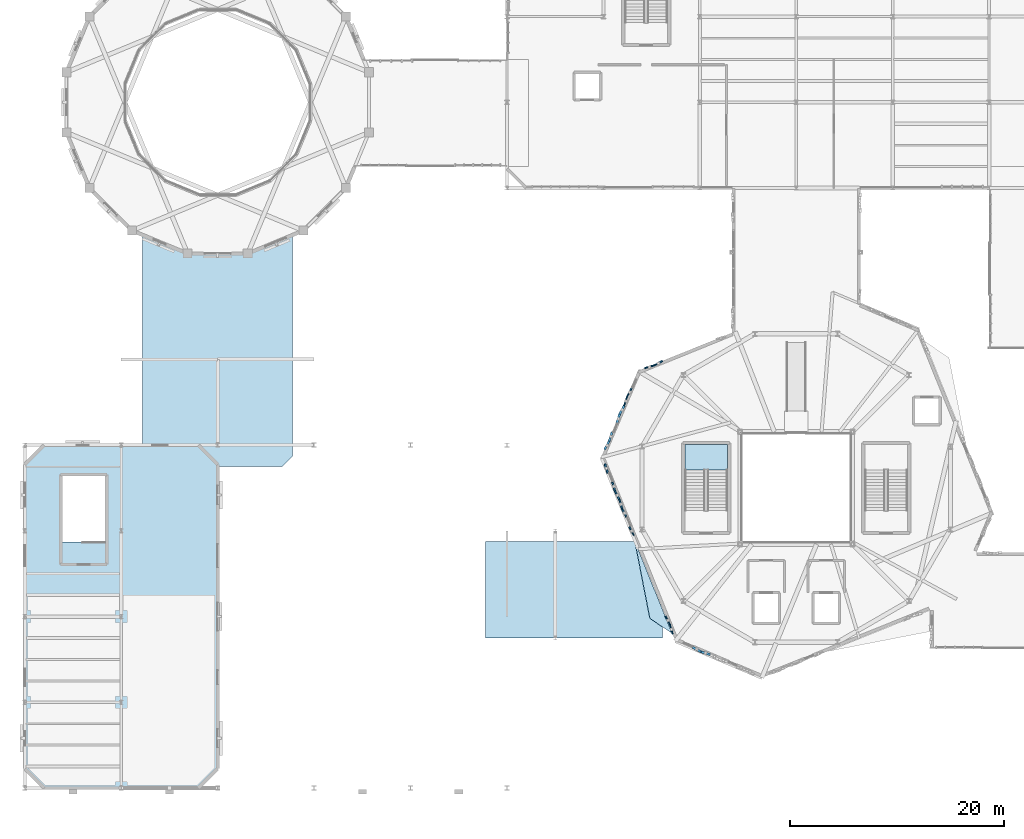
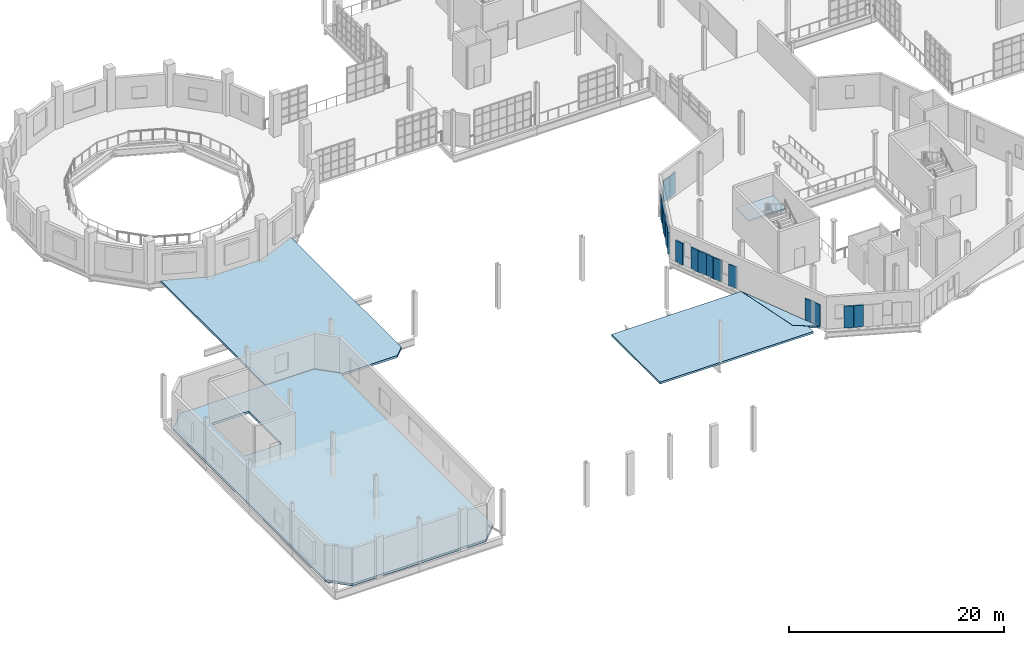
# One storey, part 78 of 122: 18 plates, 5 slabs, 1 element without a shape of its own.
"""IFC4 building model written with IfcOpenShell, lengths in metres."""

from ifc_helpers import new_model, si_unit, direction, frame, frame_2d, origin, place, context, subcontext, project, spatial, polyline, rectangle, outline, extrude, material, layer, layer_set, type_object, element, aggregate, save


model = new_model("IFC4")

# Units and contexts
model_context = context("Model", 3, precision=1e-05, world=origin(), true_north=direction((0.0, 1.0)))
body_context = subcontext(model_context, "Body", "Model", "MODEL_VIEW")
ifc_project = project(units=[si_unit("LENGTHUNIT", "METRE"), si_unit("AREAUNIT", "SQUARE_METRE"), si_unit("VOLUMEUNIT", "CUBIC_METRE"), si_unit("PLANEANGLEUNIT", "RADIAN"), si_unit("MASSUNIT", "GRAM", prefix="KILO"), si_unit("THERMODYNAMICTEMPERATUREUNIT", "KELVIN"), si_unit("POWERUNIT", "WATT")], contexts=[model_context])

# Site, building, storey
site_placement = place(None, origin())
site = spatial("IfcSite", under=ifc_project, at=site_placement, CompositionType="ELEMENT")
building_placement = place(site_placement, origin())
building = spatial("IfcBuilding", under=site, at=building_placement, Name="Zelmaris Science Centre", CompositionType="ELEMENT")
storey_placement = place(building_placement, frame((0.0, 0.0, 10.800048828125)))
storey = spatial("IfcBuildingStorey", under=building, at=storey_placement, Name="L02", CompositionType="ELEMENT", Elevation=10.800048828125)

# Plates
ifc_material_1 = material(Name="Precast concrete C40/50", Category="concrete")
ifc_layer_1 = layer(ifc_material_1, 0.110107421875, Name="Precast concrete C40/50")
ifc_layer_set_1 = layer_set([ifc_layer_1], Name="Precast concrete C40/50")
plate_type_1 = type_object("IfcPlateType", Name="Precast Facet Panel FP-01 110mm", PredefinedType="SHEET", material=ifc_layer_set_1)
plate_1_placement = place(storey_placement, frame((69.468505859375, 22.3671875, 0.02001953125), z_axis=(0.0, 0.0, 1.0), x_axis=(-0.278745970996, 0.960364870064, 0.0)))
element("IfcPlate", 1, at=plate_1_placement, inside=storey, type_object=plate_type_1, Name="L02 Folded precast facet panel 72", PredefinedType="SHEET", context=body_context, shape_type="SweptSolid", body=[
    extrude(rectangle(XDim=0.90478515625, YDim=0.110107421875, at=frame_2d((0.452392578125, 0.0))), origin(), (0.0, 0.0, 1.0), 2.4599609375),
])
plate_2_placement = place(storey_placement, frame((64.949462890625, 43.69287109375, 0.02001953125), z_axis=(0.0, 0.0, 1.0), x_axis=(0.295507811839, 0.955340323205, 0.0)))
element("IfcPlate", 2, at=plate_2_placement, inside=storey, type_object=plate_type_1, Name="L02 Folded precast facet panel 84", PredefinedType="SHEET", context=body_context, shape_type="SweptSolid", body=[
    extrude(rectangle(XDim=0.904541015625, YDim=0.110107421875, at=frame_2d((0.4521484375, 0.0))), origin(), (0.0, 0.0, 1.0), 2.4599609375),
])
ifc_layer_2 = layer(ifc_material_1, 0.1201171875, Name="Precast concrete C40/50")
ifc_layer_set_2 = layer_set([ifc_layer_2], Name="Precast concrete C40/50")
plate_type_2 = type_object("IfcPlateType", Name="Precast Facet Panel FP-02 120mm", PredefinedType="SHEET", material=ifc_layer_set_2)
for number, where, z_axis, x_axis, name in (
    (3, (69.21630859375, 23.236083984375, 0.02001953125), (0.0, 0.0, 1.0), (-0.466647205061, 0.884443545971, 0.0), "L02 Folded precast facet panel 73"),
    (4, (65.216796875, 44.55712890625, 0.02001953125), (0.0, 0.0, 1.0), (0.481742616239, 0.876312759064, 0.0), "L02 Folded precast facet panel 85"),
):
    element("IfcPlate", number, at=place(storey_placement, frame(where, z_axis=z_axis, x_axis=x_axis)), inside=storey, type_object=plate_type_2, Name=name, PredefinedType="SHEET", context=body_context, shape_type="SweptSolid", body=[
        extrude(rectangle(XDim=0.904541015625, YDim=0.1201171875, at=frame_2d((0.4521484375, 0.0))), origin(), (0.0, 0.0, 1.0), 2.4599609375),
    ])
ifc_layer_3 = layer(ifc_material_1, 0.1298828125, Name="Precast concrete C40/50")
ifc_layer_set_3 = layer_set([ifc_layer_3], Name="Precast concrete C40/50")
plate_type_3 = type_object("IfcPlateType", Name="Precast Facet Panel FP-03 130mm", PredefinedType="SHEET", material=ifc_layer_set_3)
for number, where, z_axis, x_axis, name in (
    (5, (65.8447265625, 31.580810546875, 0.02001953125), (0.0, 0.0, 1.0), (-0.466647205061, 0.884443545971, 0.0), "L02 Folded precast facet panel 74"),
    (6, (66.85595703125, 47.188720703125, 0.02001953125), (0.0, 0.0, 1.0), (0.959960696119, 0.280134720993, 0.0), "L02 Folded precast facet panel 86"),
):
    element("IfcPlate", number, at=place(storey_placement, frame(where, z_axis=z_axis, x_axis=x_axis)), inside=storey, type_object=plate_type_3, Name=name, PredefinedType="SHEET", context=body_context, shape_type="SweptSolid", body=[
        extrude(rectangle(XDim=0.904541015625, YDim=0.1298828125, at=frame_2d((0.4521484375, 0.0))), origin(), (0.0, 0.0, 1.0), 2.4599609375),
    ])
ifc_layer_4 = layer(ifc_material_1, 0.139892578125, Name="Precast concrete C40/50")
ifc_layer_set_4 = layer_set([ifc_layer_4], Name="Precast concrete C40/50")
plate_type_4 = type_object("IfcPlateType", Name="Precast Facet Panel FP-04 140mm", PredefinedType="SHEET", material=ifc_layer_set_4)
for number, where, z_axis, x_axis, name in (
    (7, (65.17041015625, 33.249755859375, 0.02001953125), (0.0, 0.0, 1.0), (-0.466647205061, 0.884443545971, 0.0), "L02 Folded precast facet panel 75"),
    (8, (67.724365234375, 47.442138671875, 0.02001953125), (0.0, 0.0, 1.0), (0.883879806749, 0.467714108426, 0.0), "L02 Folded precast facet panel 87"),
):
    element("IfcPlate", number, at=place(storey_placement, frame(where, z_axis=z_axis, x_axis=x_axis)), inside=storey, type_object=plate_type_4, Name=name, PredefinedType="SHEET", context=body_context, shape_type="SweptSolid", body=[
        extrude(rectangle(XDim=0.904541015625, YDim=0.139892578125, at=frame_2d((0.4521484375, 0.0))), origin(), (0.0, 0.0, 1.0), 2.4599609375),
    ])
ifc_layer_5 = layer(ifc_material_1, 0.14990234375, Name="Precast concrete C40/50")
ifc_layer_set_5 = layer_set([ifc_layer_5], Name="Precast concrete C40/50")
plate_type_5 = type_object("IfcPlateType", Name="Precast Facet Panel FP-05 150mm", PredefinedType="SHEET", material=ifc_layer_set_5)
plate_3_placement = place(storey_placement, frame((64.748291015625, 34.0498046875, 0.02001953125), z_axis=(0.0, 0.0, 1.0), x_axis=(-0.278745970996, 0.960364870064, 0.0)))
element("IfcPlate", 9, at=plate_3_placement, inside=storey, type_object=plate_type_5, Name="L02 Folded precast facet panel 76", PredefinedType="SHEET", context=body_context, shape_type="SweptSolid", body=[
    extrude(rectangle(XDim=0.90478515625, YDim=0.14990234375, at=frame_2d((0.452392578125, 0.0))), origin(), (0.0, 0.0, 1.0), 2.4599609375),
])
ifc_layer_6 = layer(ifc_material_1, 0.159912109375, Name="Precast concrete C40/50")
ifc_layer_set_6 = layer_set([ifc_layer_6], Name="Precast concrete C40/50")
plate_type_6 = type_object("IfcPlateType", Name="Precast Facet Panel FP-06 160mm", PredefinedType="SHEET", material=ifc_layer_set_6)
plate_4_placement = place(storey_placement, frame((64.49609375, 34.918701171875, 0.02001953125), z_axis=(0.0, 0.0, 1.0), x_axis=(-0.466436042972, 0.884554926399, 0.0)))
element("IfcPlate", 10, at=plate_4_placement, inside=storey, type_object=plate_type_6, Name="L02 Folded precast facet panel 77", PredefinedType="SHEET", context=body_context, shape_type="SweptSolid", body=[
    extrude(rectangle(XDim=0.904541015625, YDim=0.159912109375, at=frame_2d((0.4521484375, 0.0))), origin(), (0.0, 0.0, 1.0), 2.4599609375),
])
ifc_layer_7 = layer(ifc_material_1, 0.169921875, Name="Precast concrete C40/50")
ifc_layer_set_7 = layer_set([ifc_layer_7], Name="Precast concrete C40/50")
plate_type_7 = type_object("IfcPlateType", Name="Precast Facet Panel FP-07 170mm", PredefinedType="SHEET", material=ifc_layer_set_7)
plate_5_placement = place(storey_placement, frame((64.07421875, 35.71875, 0.02001953125), z_axis=(0.0, 0.0, 1.0), x_axis=(-0.278818224841, 0.960343895434, 0.0)))
element("IfcPlate", 11, at=plate_5_placement, inside=storey, type_object=plate_type_7, Name="L02 Folded precast facet panel 78", PredefinedType="SHEET", context=body_context, shape_type="SweptSolid", body=[
    extrude(rectangle(XDim=0.904541015625, YDim=0.169921875, at=frame_2d((0.4521484375, 0.0))), origin(), (0.0, 0.0, 1.0), 2.4599609375),
])
ifc_layer_8 = layer(ifc_material_1, 0.179931640625, Name="Precast concrete C40/50")
ifc_layer_set_8 = layer_set([ifc_layer_8], Name="Precast concrete C40/50")
plate_type_8 = type_object("IfcPlateType", Name="Precast Facet Panel FP-08 180mm", PredefinedType="SHEET", material=ifc_layer_set_8)
plate_6_placement = place(storey_placement, frame((63.39990234375, 37.3876953125, 0.02001953125), z_axis=(0.0, 0.0, 1.0), x_axis=(-0.278745970996, 0.960364870064, 0.0)))
element("IfcPlate", 12, at=plate_6_placement, inside=storey, type_object=plate_type_8, Name="L02 Folded precast facet panel 79", PredefinedType="SHEET", context=body_context, shape_type="SweptSolid", body=[
    extrude(rectangle(XDim=0.90478515625, YDim=0.179931640625, at=frame_2d((0.452392578125, 0.0))), origin(), (0.0, 0.0, 1.0), 2.4599609375),
])
ifc_layer_9 = layer(ifc_material_1, 0.18994140625, Name="Precast concrete C40/50")
ifc_layer_set_9 = layer_set([ifc_layer_9], Name="Precast concrete C40/50")
plate_type_9 = type_object("IfcPlateType", Name="Precast Facet Panel FP-09 190mm", PredefinedType="SHEET", material=ifc_layer_set_9)
plate_7_placement = place(storey_placement, frame((63.106689453125, 39.58642578125, 0.02001953125), z_axis=(0.0, 0.0, 1.0), x_axis=(0.481949826098, 0.87619881598, 0.0)))
element("IfcPlate", 13, at=plate_7_placement, inside=storey, type_object=plate_type_9, Name="L02 Folded precast facet panel 80", PredefinedType="SHEET", context=body_context, shape_type="SweptSolid", body=[
    extrude(rectangle(XDim=0.90478515625, YDim=0.18994140625, at=frame_2d((0.452392578125, 0.0))), origin(), (0.0, 0.0, 1.0), 2.4599609375),
])
ifc_layer_10 = layer(ifc_material_1, 0.199951171875, Name="Precast concrete C40/50")
ifc_layer_set_10 = layer_set([ifc_layer_10], Name="Precast concrete C40/50")
plate_type_10 = type_object("IfcPlateType", Name="Precast Facet Panel FP-10 200mm", PredefinedType="SHEET", material=ifc_layer_set_10)
plate_8_placement = place(storey_placement, frame((63.542724609375, 40.379150390625, 0.02001953125), z_axis=(0.0, 0.0, 1.0), x_axis=(0.295507811839, 0.955340323205, 0.0)))
element("IfcPlate", 14, at=plate_8_placement, inside=storey, type_object=plate_type_10, Name="L02 Folded precast facet panel 81", PredefinedType="SHEET", context=body_context, shape_type="SweptSolid", body=[
    extrude(rectangle(XDim=0.904541015625, YDim=0.199951171875, at=frame_2d((0.4521484375, 0.0))), origin(), (0.0, 0.0, 1.0), 2.4599609375),
])
ifc_layer_11 = layer(ifc_material_1, 0.2099609375, Name="Precast concrete C40/50")
ifc_layer_set_11 = layer_set([ifc_layer_11], Name="Precast concrete C40/50")
plate_type_11 = type_object("IfcPlateType", Name="Precast Facet Panel FP-11 210mm", PredefinedType="SHEET", material=ifc_layer_set_11)
plate_9_placement = place(storey_placement, frame((72.968994140625, 20.446044921875, 0.02001953125), z_axis=(0.0, 0.0, 1.0), x_axis=(-0.955340323205, 0.295507811839, 0.0)))
element("IfcPlate", 15, at=plate_9_placement, inside=storey, type_object=plate_type_11, Name="L02 Folded precast facet panel 70", PredefinedType="SHEET", context=body_context, shape_type="SweptSolid", body=[
    extrude(rectangle(XDim=0.904541015625, YDim=0.2099609375, at=frame_2d((0.4521484375, 0.0))), origin(), (0.0, 0.0, 1.0), 2.4599609375),
])
plate_10_placement = place(storey_placement, frame((64.24609375, 42.035888671875, 0.02001953125), z_axis=(0.0, 0.0, 1.0), x_axis=(0.295431643353, 0.955363880469, 0.0)))
element("IfcPlate", 16, at=plate_10_placement, inside=storey, type_object=plate_type_11, Name="L02 Folded precast facet panel 82", PredefinedType="SHEET", context=body_context, shape_type="SweptSolid", body=[
    extrude(rectangle(XDim=0.90478515625, YDim=0.2099609375, at=frame_2d((0.452392578125, 0.0))), origin(), (0.0, 0.0, 1.0), 2.4599609375),
])
ifc_layer_12 = layer(ifc_material_1, 0.219970703125, Name="Precast concrete C40/50")
ifc_layer_set_12 = layer_set([ifc_layer_12], Name="Precast concrete C40/50")
plate_type_12 = type_object("IfcPlateType", Name="Precast Facet Panel FP-12 220mm", PredefinedType="SHEET", material=ifc_layer_set_12)
plate_11_placement = place(storey_placement, frame((72.104736328125, 20.71337890625, 0.02001953125), z_axis=(0.0, 0.0, 1.0), x_axis=(-0.87619881598, 0.481949826098, 0.0)))
element("IfcPlate", 17, at=plate_11_placement, inside=storey, type_object=plate_type_12, Name="L02 Folded precast facet panel 71", PredefinedType="SHEET", context=body_context, shape_type="SweptSolid", body=[
    extrude(rectangle(XDim=0.90478515625, YDim=0.219970703125, at=frame_2d((0.452392578125, 0.0))), origin(), (0.0, 0.0, 1.0), 2.4599609375),
])
plate_12_placement = place(storey_placement, frame((64.513427734375, 42.900390625, 0.02001953125), z_axis=(0.0, 0.0, 1.0), x_axis=(0.482063801732, 0.876136114459, 0.0)))
element("IfcPlate", 18, at=plate_12_placement, inside=storey, type_object=plate_type_12, Name="L02 Folded precast facet panel 83", PredefinedType="SHEET", context=body_context, shape_type="SweptSolid", body=[
    extrude(rectangle(XDim=0.904541015625, YDim=0.219970703125, at=frame_2d((0.4521484375, 0.0))), origin(), (0.0, 0.0, 1.0), 2.4599609375),
])

# Slab
ifc_material_2 = material(Name="Concrete C35/45", Category="concrete")
ifc_layer_13 = layer(ifc_material_2, 0.260009765625, Name="Concrete C35/45")
ifc_layer_set_13 = layer_set([ifc_layer_13], Name="Concrete C35/45")
slab_type_1 = type_object("IfcSlabType", Name="Slab SL-FL260 260mm", PredefinedType="FLOOR", material=ifc_layer_set_13)
slab_1_placement = place(storey_placement, frame((0.0, 0.0, -0.260009765625)))
element("IfcSlab", 19, at=slab_1_placement, inside=storey, type_object=slab_type_1, Name="L02 Theatre acoustic gallery slab", PredefinedType="FLOOR", context=body_context, shape_type="SweptSolid", body=[
    extrude(outline(polyline([(9.0, 9.800048828125), (9.0, 38.199951171875), (10.800048828125, 40.0), (25.199951171875, 40.0), (27.0, 38.199951171875), (27.0, 9.800048828125), (25.199951171875, 8.0), (10.800048828125, 8.0), (9.0, 9.800048828125)]), holes=[polyline([(16.5, 30.969970703125), (16.5, 37.10009765625), (12.5, 37.10009765625), (12.5, 30.969970703125), (16.5, 30.969970703125)])]), origin(), (0.0, 0.0, 1.0), 0.260009765625),
])

# Stair, slab
ifc_material_3 = material(Name="Concrete C40/50", Category="concrete")
stair_type = type_object("IfcStairType", Name="Exit Stair ST-B W1900", PredefinedType="HALF_TURN_STAIR", material=ifc_material_3)
stair_placement = place(storey_placement, origin())
stair = element("IfcStair", 20, at=stair_placement, inside=storey, type_object=stair_type, Name="L02 Exit Stair Core ST-1", PredefinedType="HALF_TURN_STAIR")
ifc_layer_14 = layer(ifc_material_2, 0.18994140625, Name="Concrete C35/45")
ifc_layer_set_14 = layer_set([ifc_layer_14], Name="Concrete C35/45")
slab_type_2 = type_object("IfcSlabType", Name="Slab SL-LD190 190mm", PredefinedType="LANDING", material=ifc_layer_set_14)
slab_2_placement = place(storey_placement, frame((0.0, 0.0, 2.2099609375)))
slab_2 = element("IfcSlab", 21, at=slab_2_placement, type_object=slab_type_2, Name="ST-1 landing 1", PredefinedType="LANDING", context=body_context, shape_type="SweptSolid", body=[
    extrude(outline(polyline([(74.60009765625, 37.669921875), (74.60009765625, 40.050048828125), (70.60009765625, 40.050048828125), (70.60009765625, 37.669921875), (74.60009765625, 37.669921875)])), origin(), (0.0, 0.0, 1.0), 0.18994140625),
])
aggregate(stair, [slab_2])

# Slabs
ifc_layer_15 = layer(ifc_material_2, 0.219970703125, Name="Concrete C35/45")
ifc_layer_set_15 = layer_set([ifc_layer_15], Name="Concrete C35/45")
slab_type_3 = type_object("IfcSlabType", Name="Slab SL-RF220 220mm", PredefinedType="ROOF", material=ifc_layer_set_15)
slab_3_placement = place(storey_placement, frame((0.0, 0.0, -0.219970703125)))
element("IfcSlab", 22, at=slab_3_placement, inside=storey, type_object=slab_type_3, Name="L02 Exhibition setback cornice roof 3", PredefinedType="ROOF", context=body_context, shape_type="SweptSolid", body=[
    extrude(outline(polyline([(65.9443359375, 31.013916015625), (69.4072265625, 22.44287109375), (67.339111328125, 23.837646484375), (65.9443359375, 31.013916015625)])), origin(), (0.0, 0.0, 1.0), 0.219970703125),
])
slab_4_placement = place(storey_placement, frame((0.0, 0.0, -0.219970703125)))
element("IfcSlab", 23, at=slab_4_placement, inside=storey, type_object=slab_type_3, Name="L02 West peristyle link roof slab", PredefinedType="ROOF", context=body_context, shape_type="SweptSolid", body=[
    extrude(outline(polyline([(68.5, 22.0), (52.0, 22.0), (52.0, 31.0), (65.936767578125, 31.0), (67.32958984375, 23.834716796875), (68.5, 23.042724609375), (68.5, 22.0)])), origin(), (0.0, 0.0, 1.0), 0.219970703125),
])
ifc_layer_16 = layer(ifc_material_2, 0.239990234375, Name="Concrete C35/45")
ifc_layer_set_16 = layer_set([ifc_layer_16], Name="Concrete C35/45")
slab_type_4 = type_object("IfcSlabType", Name="Slab SL-RF240 240mm", PredefinedType="ROOF", material=ifc_layer_set_16)
slab_5_placement = place(storey_placement, frame((0.0, 0.0, -0.239990234375)))
element("IfcSlab", 24, at=slab_5_placement, inside=storey, type_object=slab_type_4, Name="L02 West link roof slab", PredefinedType="ROOF", context=body_context, shape_type="SweptSolid", body=[
    extrude(outline(polyline([(34.0, 39.0), (33.0, 38.0), (27.010009765625, 38.0), (27.0078125, 38.206298828125), (25.202880859375, 40.009521484375), (20.0, 40.010009765625), (20.0, 59.601806640625), (24.190673828125, 57.86669921875), (29.811279296875, 57.866943359375), (34.0, 59.601806640625), (34.0, 39.0)])), origin(), (0.0, 0.0, 1.0), 0.239990234375),
])

save(model, "model.ifc")
